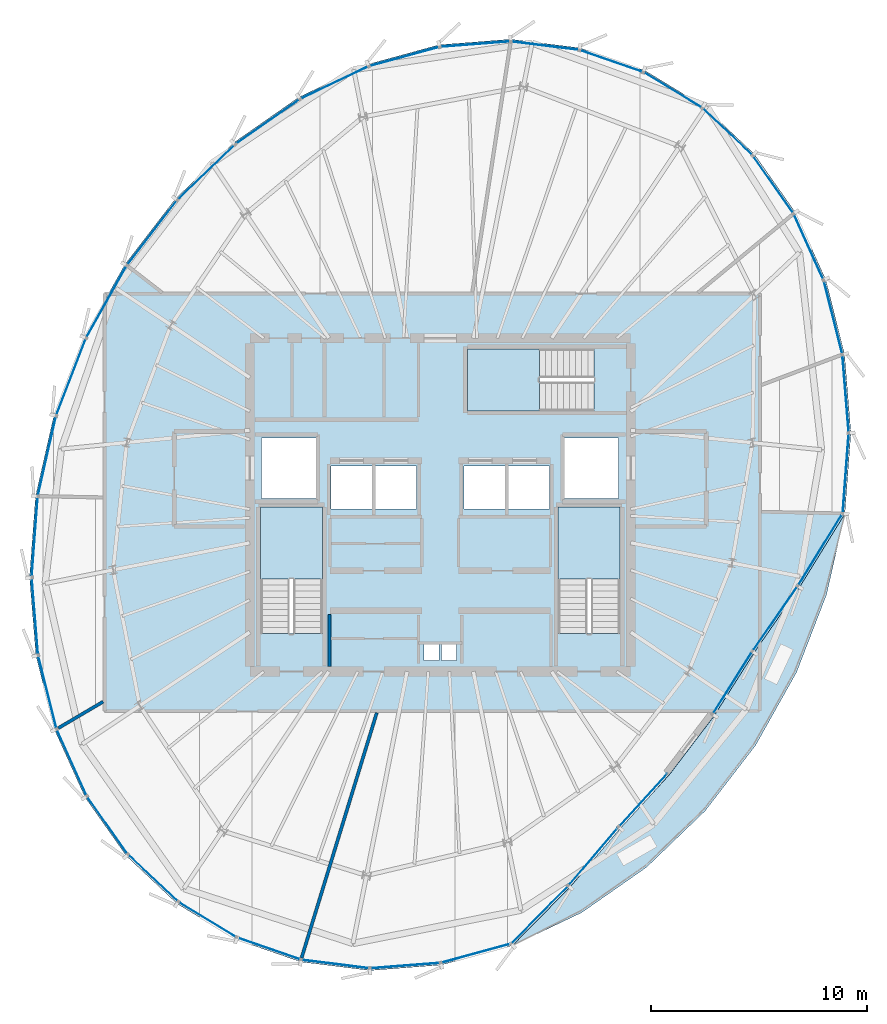
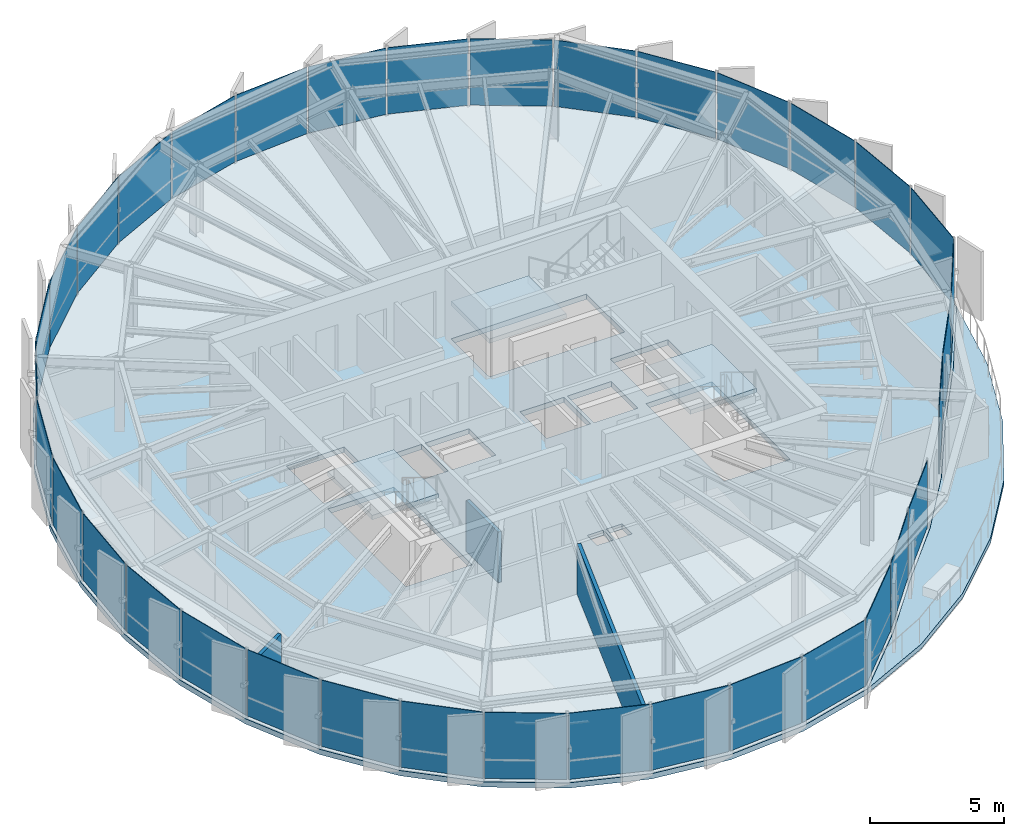
# One storey, part 23 of 30: 35 plates, 5 slabs, 3 walls, 10 elements without a shape of their own.
"""IFC4 building model written with IfcOpenShell, lengths in metres."""

from ifc_helpers import new_model, si_unit, direction, frame, frame_2d, origin, origin_2d, place, context, subcontext, project, spatial, polyline, rectangle, outline, extrude, source, transform, mapped, material, layer, layer_set, type_object, element, aggregate, save


model = new_model("IFC4")

# Units and contexts
model_context = context("Model", 3, precision=1e-05, world=origin(), true_north=direction((0.0, 1.0)))
body_context = subcontext(model_context, "Body", "Model", "MODEL_VIEW")
ifc_project = project(units=[si_unit("LENGTHUNIT", "METRE"), si_unit("AREAUNIT", "SQUARE_METRE"), si_unit("VOLUMEUNIT", "CUBIC_METRE"), si_unit("PLANEANGLEUNIT", "RADIAN"), si_unit("MASSUNIT", "GRAM", prefix="KILO"), si_unit("THERMODYNAMICTEMPERATUREUNIT", "KELVIN")], contexts=[model_context])

# Site, building, storey
site_placement = place(None, origin())
site = spatial("IfcSite", under=ifc_project, at=site_placement, CompositionType="ELEMENT")
building_placement = place(site_placement, origin())
building = spatial("IfcBuilding", under=site, at=building_placement, Name="Kethvar Cultural Tower", CompositionType="ELEMENT")
storey_placement = place(building_placement, frame((0.0, 0.0, 293.949951171875)))
storey = spatial("IfcBuildingStorey", under=building, at=storey_placement, Name="L78", CompositionType="ELEMENT", Elevation=293.949951171875)

# Stair, slab
ifc_material_1 = material(Name="Concrete C40/50", Category="concrete")
stair_type = type_object("IfcStairType", Name="ST-DOGLEG-135", PredefinedType="HALF_TURN_STAIR", material=ifc_material_1)
stair_1_placement = place(storey_placement, origin())
stair_1 = element("IfcStair", 1, at=stair_1_placement, inside=storey, type_object=stair_type, Name="L78 Core Exit Stair 1", PredefinedType="HALF_TURN_STAIR")
ifc_layer_1 = layer(ifc_material_1, 0.199951171875, Name="Concrete C40/50", Category="concrete")
ifc_layer_set_1 = layer_set([ifc_layer_1], Name="Concrete C40/50 (200 mm)")
slab_type_1 = type_object("IfcSlabType", Name="SL-STAIR-LANDING-200", PredefinedType="LANDING", material=ifc_layer_set_1)
slab_1_placement = place(storey_placement, frame((0.0, 0.0, 1.525146484375)))
slab_1 = element("IfcSlab", 2, at=slab_1_placement, type_object=slab_type_1, Name="ST-01 landing 1", PredefinedType="LANDING", context=body_context, shape_type="SweptSolid", body=[
    extrude(outline(polyline([(41.35009765625, 24.3701171875), (41.35009765625, 27.699951171875), (38.489990234375, 27.699951171875), (38.489990234375, 24.3701171875), (41.35009765625, 24.3701171875)])), origin(), (0.0, 0.0, 1.0), 0.199951171875),
])
aggregate(stair_1, [slab_1])

stair_2_placement = place(storey_placement, origin())
stair_2 = element("IfcStair", 3, at=stair_2_placement, inside=storey, type_object=stair_type, Name="L78 Core Exit Stair 2", PredefinedType="HALF_TURN_STAIR")
slab_2_placement = place(storey_placement, frame((0.0, 0.0, 1.525146484375)))
slab_2 = element("IfcSlab", 4, at=slab_2_placement, type_object=slab_type_1, Name="ST-02 landing 1", PredefinedType="LANDING", context=body_context, shape_type="SweptSolid", body=[
    extrude(outline(polyline([(55.110107421875, 24.3701171875), (55.110107421875, 27.699951171875), (52.25, 27.699951171875), (52.25, 24.3701171875), (55.110107421875, 24.3701171875)])), origin(), (0.0, 0.0, 1.0), 0.199951171875),
])
aggregate(stair_2, [slab_2])

stair_3_placement = place(storey_placement, origin())
stair_3 = element("IfcStair", 5, at=stair_3_placement, inside=storey, type_object=stair_type, Name="L78 Core Exit Stair 3", PredefinedType="HALF_TURN_STAIR")
slab_3_placement = place(storey_placement, frame((0.0, 0.0, 1.525146484375)))
slab_3 = element("IfcSlab", 6, at=slab_3_placement, type_object=slab_type_1, Name="ST-03 landing 1", PredefinedType="LANDING", context=body_context, shape_type="SweptSolid", body=[
    extrude(outline(polyline([(51.3798828125, 35.010009765625), (48.050048828125, 35.010009765625), (48.050048828125, 32.14990234375), (51.3798828125, 32.14990234375), (51.3798828125, 35.010009765625)])), origin(), (0.0, 0.0, 1.0), 0.199951171875),
])
aggregate(stair_3, [slab_3])

# Slabs
ifc_layer_2 = layer(ifc_material_1, 0.215087890625, Name="Concrete C40/50", Category="concrete")
ifc_layer_set_2 = layer_set([ifc_layer_2], Name="Concrete C40/50 (215 mm)")
slab_type_2 = type_object("IfcSlabType", Name="SL-TER-EXT", PredefinedType="FLOOR", material=ifc_layer_set_2)
slab_4_placement = place(storey_placement, frame((0.0, 0.0, -0.21484375)))
element("IfcSlab", 7, at=slab_4_placement, inside=storey, type_object=slab_type_2, Name="L78 Spiralling Sky Terrace Deck", PredefinedType="FLOOR", context=body_context, shape_type="SweptSolid", body=[
    extrude(outline(polyline([(50.143310546875, 7.435302734375), (53.33740234375, 8.955810546875), (56.332763671875, 11.049072265625), (59.038818359375, 13.65087890625), (61.37255859375, 16.68310546875), (63.263916015625, 20.052734375), (64.65478515625, 23.657958984375), (65.503173828125, 27.388916015625), (63.407470703125, 23.99658203125), (61.3076171875, 20.973388671875), (59.452392578125, 18.03759765625), (57.3828125, 15.318603515625), (55.098876953125, 12.82421875), (52.795166015625, 10.129150390625), (50.143310546875, 7.435302734375)])), origin(), (0.0, 0.0, 1.0), 0.21484375),
])
ifc_layer_3 = layer(ifc_material_1, 0.239990234375, Name="Concrete C40/50", Category="concrete")
ifc_layer_set_3 = layer_set([ifc_layer_3], Name="Concrete C40/50 (240 mm)")
slab_type_3 = type_object("IfcSlabType", Name="SL-TOW-240", PredefinedType="FLOOR", material=ifc_layer_set_3)
slab_5_placement = place(storey_placement, frame((0.0, 0.0, -0.239990234375)))
element("IfcSlab", 8, at=slab_5_placement, inside=storey, type_object=slab_type_3, Name="L78 Structural Floor Slab", PredefinedType="FLOOR", context=body_context, shape_type="SweptSolid", body=[
    extrude(outline(polyline([(56.25048828125, 47.88330078125), (53.248046875, 48.923583984375), (50.049560546875, 49.322021484375), (46.75244140625, 49.06640625), (43.456787109375, 48.16455078125), (40.2626953125, 46.64404296875), (37.26708984375, 44.551025390625), (34.561279296875, 41.948974609375), (32.227294921875, 38.9169921875), (30.336181640625, 35.54736328125), (28.9453125, 31.942138671875), (28.0966796875, 28.211181640625), (27.816650390625, 24.4677734375), (28.11328125, 20.825439453125), (28.977783203125, 17.39501953125), (30.3837890625, 14.281005859375), (32.28857421875, 11.57763671875), (34.63427734375, 9.3671875), (37.349609375, 7.716796875), (40.35205078125, 6.676513671875), (43.55029296875, 6.278076171875), (46.847412109375, 6.53369140625), (50.143310546875, 7.435302734375), (52.795166015625, 10.129150390625), (55.098876953125, 12.82421875), (57.3828125, 15.318603515625), (59.452392578125, 18.03759765625), (61.3076171875, 20.973388671875), (63.407470703125, 23.99658203125), (65.503173828125, 27.388916015625), (65.783203125, 31.13232421875), (65.48681640625, 34.774658203125), (64.622314453125, 38.204833984375), (63.21630859375, 41.319091796875), (61.3115234375, 44.0224609375), (58.9658203125, 46.23291015625), (56.25048828125, 47.88330078125)]), holes=[polyline([(38.489990234375, 21.85009765625), (38.489990234375, 27.699951171875), (41.35009765625, 27.699951171875), (41.35009765625, 21.85009765625), (38.489990234375, 21.85009765625)]), polyline([(52.25, 21.85009765625), (52.25, 27.699951171875), (55.110107421875, 27.699951171875), (55.110107421875, 21.85009765625), (52.25, 21.85009765625)]), polyline([(53.89990234375, 32.14990234375), (48.050048828125, 32.14990234375), (48.050048828125, 35.010009765625), (53.89990234375, 35.010009765625), (53.89990234375, 32.14990234375)]), polyline([(41.75, 29.60009765625), (43.64990234375, 29.60009765625), (43.64990234375, 27.60009765625), (41.75, 27.60009765625), (41.75, 29.60009765625)]), polyline([(43.800048828125, 29.60009765625), (45.699951171875, 29.60009765625), (45.699951171875, 27.60009765625), (43.800048828125, 27.60009765625), (43.800048828125, 29.60009765625)]), polyline([(47.89990234375, 29.60009765625), (49.800048828125, 29.60009765625), (49.800048828125, 27.60009765625), (47.89990234375, 27.60009765625), (47.89990234375, 29.60009765625)]), polyline([(49.949951171875, 29.60009765625), (51.85009765625, 29.60009765625), (51.85009765625, 27.60009765625), (49.949951171875, 27.60009765625), (49.949951171875, 29.60009765625)]), polyline([(38.550048828125, 30.89990234375), (41.050048828125, 30.89990234375), (41.050048828125, 28.10009765625), (38.550048828125, 28.10009765625), (38.550048828125, 30.89990234375)]), polyline([(52.550048828125, 30.89990234375), (55.050048828125, 30.89990234375), (55.050048828125, 28.10009765625), (52.550048828125, 28.10009765625), (52.550048828125, 30.89990234375)]), polyline([(46.050048828125, 21.35009765625), (46.75, 21.35009765625), (46.75, 20.60009765625), (46.050048828125, 20.60009765625), (46.050048828125, 21.35009765625)]), polyline([(46.85009765625, 21.35009765625), (47.550048828125, 21.35009765625), (47.550048828125, 20.60009765625), (46.85009765625, 20.60009765625), (46.85009765625, 21.35009765625)])]), origin(), (0.0, 0.0, 1.0), 0.239990234375),
])

# Curtain wall, plate
ifc_material_2 = material(Name="Aluminium 6063-T6", Category="aluminium")
ifc_layer_4 = layer(ifc_material_2, 0.179931640625, Name="Aluminium 6063-T6", Category="aluminium")
ifc_layer_set_4 = layer_set([ifc_layer_4], Name="Aluminium 6063-T6 (180 mm)")
curtain_wall_type = type_object("IfcCurtainWallType", Name="CW-SYS-05-Z56", PredefinedType="NOTDEFINED", material=ifc_layer_set_4)
curtain_wall_1_placement = place(storey_placement, origin())
curtain_wall_1 = element("IfcCurtainWall", 9, at=curtain_wall_1_placement, inside=storey, type_object=curtain_wall_type, Name="L78 Curtain Wall Run 05", PredefinedType="NOTDEFINED")
ifc_material_3 = material(Name="Insulated Low-E Solar Glass", Category="glass")
ifc_layer_5 = layer(ifc_material_3, 0.028076171875, Name="Insulated Low-E Solar Glass", Category="glass")
ifc_layer_set_5 = layer_set([ifc_layer_5], Name="Insulated Low-E Solar Glass (28 mm)")
plate_type = type_object("IfcPlateType", Name="CW-SYS-05-Z56-PNL", PredefinedType="CURTAIN_PANEL", material=ifc_layer_set_5)
shared_shape_1 = source(origin(), body_context, "Body", "SweptSolid", [
    extrude(rectangle(XDim=3.302734375, YDim=0.028076171875, at=origin_2d()), origin(), (0.0, 0.0, 1.0), 3.030029296875),
])
plate_1_placement = place(storey_placement, frame((56.1669921875, 14.138916015625, 0.08984375), z_axis=(0.0, 0.0, 1.0), x_axis=(0.675332808121, 0.737513117358, 0.0)))
plate_1 = element("IfcPlate", 10, at=plate_1_placement, type_object=plate_type, Name="CW-L78-R05 Vision Glazing Panel 1", PredefinedType="CURTAIN_PANEL", context=body_context, shape_type="MappedRepresentation", body=[
    mapped(shared_shape_1, transform((0.0, 0.0, 0.0), scale=1.0)),
])
aggregate(curtain_wall_1, [plate_1])

curtain_wall_2_placement = place(storey_placement, origin())
curtain_wall_2 = element("IfcCurtainWall", 11, at=curtain_wall_2_placement, inside=storey, type_object=curtain_wall_type, Name="L78 Curtain Wall Run 01", PredefinedType="NOTDEFINED")
shared_shape_2 = source(origin(), body_context, "Body", "SweptSolid", [
    extrude(rectangle(XDim=3.098388671875, YDim=0.028076171875, at=origin_2d()), origin(), (0.0, 0.0, 1.0), 3.030029296875),
])
plate_2_placement = place(storey_placement, frame((54.716552734375, 48.308837890625, 0.08984375), z_axis=(0.0, 0.0, 1.0), x_axis=(-0.944903214709, 0.327349835547, 0.0)))
plate_2 = element("IfcPlate", 12, at=plate_2_placement, type_object=plate_type, Name="CW-L78-R01 Vision Glazing Panel 1", PredefinedType="CURTAIN_PANEL", context=body_context, shape_type="MappedRepresentation", body=[
    mapped(shared_shape_2, transform((0.0, 0.0, 0.0), scale=1.0)),
])

curtain_wall_3_placement = place(storey_placement, origin())
curtain_wall_3 = element("IfcCurtainWall", 13, at=curtain_wall_3_placement, inside=storey, type_object=curtain_wall_type, Name="L78 Curtain Wall Run 03", PredefinedType="NOTDEFINED")
plate_3_placement = place(storey_placement, frame((36.043701171875, 8.627197265625, 0.08984375), z_axis=(0.0, 0.0, 1.0), x_axis=(0.854531360356, -0.519399801856, 0.0)))
plate_3 = element("IfcPlate", 14, at=plate_3_placement, type_object=plate_type, Name="CW-L78-R03 Vision Glazing Panel 6", PredefinedType="CURTAIN_PANEL", context=body_context, shape_type="MappedRepresentation", body=[
    mapped(shared_shape_2, transform((0.0, 0.0, 0.0), scale=1.0)),
])

curtain_wall_4_placement = place(storey_placement, origin())
curtain_wall_4 = element("IfcCurtainWall", 15, at=curtain_wall_4_placement, inside=storey, type_object=curtain_wall_type, Name="L78 Curtain Wall Run 04", PredefinedType="NOTDEFINED")
plate_4_placement = place(storey_placement, frame((38.883544921875, 7.291015625, 0.08984375), z_axis=(0.0, 0.0, 1.0), x_axis=(0.944903214709, -0.327349835547, 0.0)))
plate_4 = element("IfcPlate", 16, at=plate_4_placement, type_object=plate_type, Name="CW-L78-R04 Vision Glazing Panel 1", PredefinedType="CURTAIN_PANEL", context=body_context, shape_type="MappedRepresentation", body=[
    mapped(shared_shape_2, transform((0.0, 0.0, 0.0), scale=1.0)),
])

curtain_wall_5_placement = place(storey_placement, origin())
curtain_wall_5 = element("IfcCurtainWall", 17, at=curtain_wall_5_placement, inside=storey, type_object=curtain_wall_type, Name="L78 Curtain Wall Run 07", PredefinedType="NOTDEFINED")
plate_5_placement = place(storey_placement, frame((57.55615234375, 46.97265625, 0.08984375), z_axis=(0.0, 0.0, 1.0), x_axis=(-0.854531360356, 0.519399801856, 0.0)))
plate_5 = element("IfcPlate", 18, at=plate_5_placement, type_object=plate_type, Name="CW-L78-R07 Vision Glazing Panel 4", PredefinedType="CURTAIN_PANEL", context=body_context, shape_type="MappedRepresentation", body=[
    mapped(shared_shape_2, transform((0.0, 0.0, 0.0), scale=1.0)),
])

# Plate
shared_shape_3 = source(origin(), body_context, "Body", "SweptSolid", [
    extrude(rectangle(XDim=3.143798828125, YDim=0.028076171875, at=origin_2d()), origin(), (0.0, 0.0, 1.0), 3.030029296875),
])
plate_6_placement = place(storey_placement, frame((51.636474609375, 49.0234375, 0.08984375), z_axis=(0.0, 0.0, 1.0), x_axis=(-0.992331937885, 0.12360147674, 0.0)))
plate_6 = element("IfcPlate", 19, at=plate_6_placement, type_object=plate_type, Name="CW-L78-R01 Vision Glazing Panel 2", PredefinedType="CURTAIN_PANEL", context=body_context, shape_type="MappedRepresentation", body=[
    mapped(shared_shape_3, transform((0.0, 0.0, 0.0), scale=1.0)),
])

plate_7_placement = place(storey_placement, frame((41.963623046875, 6.576416015625, 0.08984375), z_axis=(0.0, 0.0, 1.0), x_axis=(0.992331937885, -0.12360147674, 0.0)))
plate_7 = element("IfcPlate", 20, at=plate_7_placement, type_object=plate_type, Name="CW-L78-R04 Vision Glazing Panel 2", PredefinedType="CURTAIN_PANEL", context=body_context, shape_type="MappedRepresentation", body=[
    mapped(shared_shape_3, transform((0.0, 0.0, 0.0), scale=1.0)),
])

shared_shape_4 = source(origin(), body_context, "Body", "SweptSolid", [
    extrude(rectangle(XDim=3.227783203125, YDim=0.028076171875, at=origin_2d()), origin(), (0.0, 0.0, 1.0), 3.030029296875),
])
plate_8_placement = place(storey_placement, frame((48.40869140625, 49.094482421875, 0.08984375), z_axis=(0.0, 0.0, 1.0), x_axis=(-0.997008399866, -0.07729327653, 0.0)))
plate_8 = element("IfcPlate", 21, at=plate_8_placement, type_object=plate_type, Name="CW-L78-R01 Vision Glazing Panel 3", PredefinedType="CURTAIN_PANEL", context=body_context, shape_type="MappedRepresentation", body=[
    mapped(shared_shape_4, transform((0.0, 0.0, 0.0), scale=1.0)),
])

plate_9_placement = place(storey_placement, frame((31.41796875, 12.98681640625, 0.08984375), z_axis=(0.0, 0.0, 1.0), x_axis=(0.575975846485, -0.817466711412, 0.0)))
plate_9 = element("IfcPlate", 22, at=plate_9_placement, type_object=plate_type, Name="CW-L78-R03 Vision Glazing Panel 4", PredefinedType="CURTAIN_PANEL", context=body_context, shape_type="MappedRepresentation", body=[
    mapped(shared_shape_4, transform((0.0, 0.0, 0.0), scale=1.0)),
])

plate_10_placement = place(storey_placement, frame((45.191162109375, 6.505615234375, 0.08984375), z_axis=(0.0, 0.0, 1.0), x_axis=(0.997008399866, 0.07729327653, 0.0)))
plate_10 = element("IfcPlate", 23, at=plate_10_placement, type_object=plate_type, Name="CW-L78-R04 Vision Glazing Panel 3", PredefinedType="CURTAIN_PANEL", context=body_context, shape_type="MappedRepresentation", body=[
    mapped(shared_shape_4, transform((0.0, 0.0, 0.0), scale=1.0)),
])

plate_11_placement = place(storey_placement, frame((62.18212890625, 42.613037109375, 0.08984375), z_axis=(0.0, 0.0, 1.0), x_axis=(-0.575975846485, 0.817466711412, 0.0)))
plate_11 = element("IfcPlate", 24, at=plate_11_placement, type_object=plate_type, Name="CW-L78-R07 Vision Glazing Panel 2", PredefinedType="CURTAIN_PANEL", context=body_context, shape_type="MappedRepresentation", body=[
    mapped(shared_shape_4, transform((0.0, 0.0, 0.0), scale=1.0)),
])

shared_shape_5 = source(origin(), body_context, "Body", "SweptSolid", [
    extrude(rectangle(XDim=3.337646484375, YDim=0.028076171875, at=origin_2d()), origin(), (0.0, 0.0, 1.0), 3.030029296875),
])
plate_12_placement = place(storey_placement, frame((45.131103515625, 48.51904296875, 0.08984375), z_axis=(0.0, 0.0, 1.0), x_axis=(-0.964548206963, -0.26390671921, 0.0)))
plate_12 = element("IfcPlate", 25, at=plate_12_placement, type_object=plate_type, Name="CW-L78-R01 Vision Glazing Panel 4", PredefinedType="CURTAIN_PANEL", context=body_context, shape_type="MappedRepresentation", body=[
    mapped(shared_shape_5, transform((0.0, 0.0, 0.0), scale=1.0)),
])

plate_13_placement = place(storey_placement, frame((29.77197265625, 15.879150390625, 0.08984375), z_axis=(0.0, 0.0, 1.0), x_axis=(0.411466637077, -0.911424822228, 0.0)))
plate_13 = element("IfcPlate", 26, at=plate_13_placement, type_object=plate_type, Name="CW-L78-R03 Vision Glazing Panel 3", PredefinedType="CURTAIN_PANEL", context=body_context, shape_type="MappedRepresentation", body=[
    mapped(shared_shape_5, transform((0.0, 0.0, 0.0), scale=1.0)),
])

plate_14_placement = place(storey_placement, frame((48.468994140625, 7.0810546875, 0.08984375), z_axis=(0.0, 0.0, 1.0), x_axis=(0.964548206963, 0.26390671921, 0.0)))
plate_14 = element("IfcPlate", 27, at=plate_14_placement, type_object=plate_type, Name="CW-L78-R04 Vision Glazing Panel 4", PredefinedType="CURTAIN_PANEL", context=body_context, shape_type="MappedRepresentation", body=[
    mapped(shared_shape_5, transform((0.0, 0.0, 0.0), scale=1.0)),
])

plate_15_placement = place(storey_placement, frame((63.828125, 39.720703125, 0.08984375), z_axis=(0.0, 0.0, 1.0), x_axis=(-0.411466637077, 0.911424822228, 0.0)))
plate_15 = element("IfcPlate", 28, at=plate_15_placement, type_object=plate_type, Name="CW-L78-R07 Vision Glazing Panel 1", PredefinedType="CURTAIN_PANEL", context=body_context, shape_type="MappedRepresentation", body=[
    mapped(shared_shape_5, transform((0.0, 0.0, 0.0), scale=1.0)),
])

shared_shape_6 = source(origin(), body_context, "Body", "SweptSolid", [
    extrude(rectangle(XDim=3.45849609375, YDim=0.028076171875, at=origin_2d()), origin(), (0.0, 0.0, 1.0), 3.030029296875),
])
plate_16_placement = place(storey_placement, frame((41.902587890625, 47.31396484375, 0.08984375), z_axis=(0.0, 0.0, 1.0), x_axis=(-0.902915626961, -0.429817834192, 0.0)))
plate_16 = element("IfcPlate", 29, at=plate_16_placement, type_object=plate_type, Name="CW-L78-R01 Vision Glazing Panel 5", PredefinedType="CURTAIN_PANEL", context=body_context, shape_type="MappedRepresentation", body=[
    mapped(shared_shape_6, transform((0.0, 0.0, 0.0), scale=1.0)),
])

plate_17_placement = place(storey_placement, frame((28.642578125, 19.134765625, 0.08984375), z_axis=(0.0, 0.0, 1.0), x_axis=(0.24437667227, -0.969680381389, 0.0)))
plate_17 = element("IfcPlate", 30, at=plate_17_placement, type_object=plate_type, Name="CW-L78-R03 Vision Glazing Panel 2", PredefinedType="CURTAIN_PANEL", context=body_context, shape_type="MappedRepresentation", body=[
    mapped(shared_shape_6, transform((0.0, 0.0, 0.0), scale=1.0)),
])

# Curtain wall, plate
curtain_wall_6_placement = place(storey_placement, origin())
curtain_wall_6 = element("IfcCurtainWall", 31, at=curtain_wall_6_placement, inside=storey, type_object=curtain_wall_type, Name="L78 Curtain Wall Run 06", PredefinedType="NOTDEFINED")
plate_18_placement = place(storey_placement, frame((64.95751953125, 36.46533203125, 0.08984375), z_axis=(0.0, 0.0, 1.0), x_axis=(-0.24437667227, 0.969680381389, 0.0)))
plate_18 = element("IfcPlate", 32, at=plate_18_placement, type_object=plate_type, Name="CW-L78-R06 Vision Glazing Panel 6", PredefinedType="CURTAIN_PANEL", context=body_context, shape_type="MappedRepresentation", body=[
    mapped(shared_shape_6, transform((0.0, 0.0, 0.0), scale=1.0)),
])

# Plate
shared_shape_7 = source(origin(), body_context, "Body", "SweptSolid", [
    extrude(rectangle(XDim=3.5751953125, YDim=0.028076171875, at=origin_2d()), origin(), (0.0, 0.0, 1.0), 3.030029296875),
])
plate_19_placement = place(storey_placement, frame((38.822265625, 45.515625, 0.08984375), z_axis=(0.0, 0.0, 1.0), x_axis=(-0.81971225759, -0.572775536102, 0.0)))
plate_19 = element("IfcPlate", 33, at=plate_19_placement, type_object=plate_type, Name="CW-L78-R01 Vision Glazing Panel 6", PredefinedType="CURTAIN_PANEL", context=body_context, shape_type="MappedRepresentation", body=[
    mapped(shared_shape_7, transform((0.0, 0.0, 0.0), scale=1.0)),
])

aggregate(curtain_wall_2, [plate_2, plate_6, plate_8, plate_12, plate_16, plate_19])

plate_20_placement = place(storey_placement, frame((28.064697265625, 22.65478515625, 0.08984375), z_axis=(0.0, 0.0, 1.0), x_axis=(0.081155726265, -0.996701433778, 0.0)))
plate_20 = element("IfcPlate", 34, at=plate_20_placement, type_object=plate_type, Name="CW-L78-R03 Vision Glazing Panel 1", PredefinedType="CURTAIN_PANEL", context=body_context, shape_type="MappedRepresentation", body=[
    mapped(shared_shape_7, transform((0.0, 0.0, 0.0), scale=1.0)),
])

plate_21_placement = place(storey_placement, frame((65.535400390625, 32.9453125, 0.08984375), z_axis=(0.0, 0.0, 1.0), x_axis=(-0.081155726265, 0.996701433778, 0.0)))
plate_21 = element("IfcPlate", 35, at=plate_21_placement, type_object=plate_type, Name="CW-L78-R06 Vision Glazing Panel 5", PredefinedType="CURTAIN_PANEL", context=body_context, shape_type="MappedRepresentation", body=[
    mapped(shared_shape_7, transform((0.0, 0.0, 0.0), scale=1.0)),
])

# Curtain wall, plates
curtain_wall_7_placement = place(storey_placement, origin())
curtain_wall_7 = element("IfcCurtainWall", 36, at=curtain_wall_7_placement, inside=storey, type_object=curtain_wall_type, Name="L78 Curtain Wall Run 02", PredefinedType="NOTDEFINED")
shared_shape_8 = source(origin(), body_context, "Body", "SweptSolid", [
    extrude(rectangle(XDim=3.6748046875, YDim=0.028076171875, at=origin_2d()), origin(), (0.0, 0.0, 1.0), 3.030029296875),
])
plate_22_placement = place(storey_placement, frame((35.983642578125, 43.177978515625, 0.08984375), z_axis=(0.0, 0.0, 1.0), x_axis=(-0.72080520832, -0.693137685931, 0.0)))
plate_22 = element("IfcPlate", 37, at=plate_22_placement, type_object=plate_type, Name="CW-L78-R02 Vision Glazing Panel 1", PredefinedType="CURTAIN_PANEL", context=body_context, shape_type="MappedRepresentation", body=[
    mapped(shared_shape_8, transform((0.0, 0.0, 0.0), scale=1.0)),
])
plate_23_placement = place(storey_placement, frame((28.056396484375, 26.331787109375, 0.08984375), z_axis=(0.0, 0.0, 1.0), x_axis=(-0.074613234358, -0.997212547684, 0.0)))
plate_23 = element("IfcPlate", 38, at=plate_23_placement, type_object=plate_type, Name="CW-L78-R02 Vision Glazing Panel 6", PredefinedType="CURTAIN_PANEL", context=body_context, shape_type="MappedRepresentation", body=[
    mapped(shared_shape_8, transform((0.0, 0.0, 0.0), scale=1.0)),
])

# Plate
plate_24_placement = place(storey_placement, frame((65.54345703125, 29.26806640625, 0.08984375), z_axis=(0.0, 0.0, 1.0), x_axis=(0.074613234358, 0.997212547684, 0.0)))
plate_24 = element("IfcPlate", 39, at=plate_24_placement, type_object=plate_type, Name="CW-L78-R06 Vision Glazing Panel 4", PredefinedType="CURTAIN_PANEL", context=body_context, shape_type="MappedRepresentation", body=[
    mapped(shared_shape_8, transform((0.0, 0.0, 0.0), scale=1.0)),
])

shared_shape_9 = source(origin(), body_context, "Body", "SweptSolid", [
    extrude(rectangle(XDim=3.7470703125, YDim=0.028076171875, at=origin_2d()), origin(), (0.0, 0.0, 1.0), 3.030029296875),
])
plate_25_placement = place(storey_placement, frame((33.4736328125, 40.3720703125, 0.08984375), z_axis=(0.0, 0.0, 1.0), x_axis=(-0.60996538338, -0.792428060507, 0.0)))
plate_25 = element("IfcPlate", 40, at=plate_25_placement, type_object=plate_type, Name="CW-L78-R02 Vision Glazing Panel 2", PredefinedType="CURTAIN_PANEL", context=body_context, shape_type="MappedRepresentation", body=[
    mapped(shared_shape_9, transform((0.0, 0.0, 0.0), scale=1.0)),
])

plate_26_placement = place(storey_placement, frame((28.618408203125, 30.054443359375, 0.08984375), z_axis=(0.0, 0.0, 1.0), x_axis=(-0.221735708772, -0.975106802076, 0.0)))
plate_26 = element("IfcPlate", 41, at=plate_26_placement, type_object=plate_type, Name="CW-L78-R02 Vision Glazing Panel 5", PredefinedType="CURTAIN_PANEL", context=body_context, shape_type="MappedRepresentation", body=[
    mapped(shared_shape_9, transform((0.0, 0.0, 0.0), scale=1.0)),
])

shared_shape_10 = source(origin(), body_context, "Body", "SweptSolid", [
    extrude(rectangle(XDim=3.784912109375, YDim=0.028076171875, at=origin_2d()), origin(), (0.0, 0.0, 1.0), 3.030029296875),
])
plate_27_placement = place(storey_placement, frame((31.368896484375, 37.18310546875, 0.08984375), z_axis=(0.0, 0.0, 1.0), x_axis=(-0.489428112518, -0.872043647231, 0.0)))
plate_27 = element("IfcPlate", 42, at=plate_27_placement, type_object=plate_type, Name="CW-L78-R02 Vision Glazing Panel 3", PredefinedType="CURTAIN_PANEL", context=body_context, shape_type="MappedRepresentation", body=[
    mapped(shared_shape_10, transform((0.0, 0.0, 0.0), scale=1.0)),
])

shared_shape_11 = source(origin(), body_context, "Body", "SweptSolid", [
    extrude(rectangle(XDim=3.78515625, YDim=0.028076171875, at=origin_2d()), origin(), (0.0, 0.0, 1.0), 3.030029296875),
])
plate_28_placement = place(storey_placement, frame((29.73388671875, 33.708740234375, 0.08984375), z_axis=(0.0, 0.0, 1.0), x_axis=(-0.359964241679, -0.932966100516, 0.0)))
plate_28 = element("IfcPlate", 43, at=plate_28_placement, type_object=plate_type, Name="CW-L78-R02 Vision Glazing Panel 4", PredefinedType="CURTAIN_PANEL", context=body_context, shape_type="MappedRepresentation", body=[
    mapped(shared_shape_11, transform((0.0, 0.0, 0.0), scale=1.0)),
])

aggregate(curtain_wall_7, [plate_22, plate_25, plate_27, plate_28, plate_26, plate_23])

shared_shape_12 = source(origin(), body_context, "Body", "SweptSolid", [
    extrude(rectangle(XDim=3.14404296875, YDim=0.028076171875, at=origin_2d()), origin(), (0.0, 0.0, 1.0), 3.030029296875),
])
plate_29_placement = place(storey_placement, frame((33.52978515625, 10.545166015625, 0.08984375), z_axis=(0.0, 0.0, 1.0), x_axis=(0.727772757657, -0.685818352927, 0.0)))
plate_29 = element("IfcPlate", 44, at=plate_29_placement, type_object=plate_type, Name="CW-L78-R03 Vision Glazing Panel 5", PredefinedType="CURTAIN_PANEL", context=body_context, shape_type="MappedRepresentation", body=[
    mapped(shared_shape_12, transform((0.0, 0.0, 0.0), scale=1.0)),
])

aggregate(curtain_wall_3, [plate_20, plate_17, plate_13, plate_9, plate_29, plate_3])

plate_30_placement = place(storey_placement, frame((60.070068359375, 45.054931640625, 0.08984375), z_axis=(0.0, 0.0, 1.0), x_axis=(-0.727772757657, 0.685818352927, 0.0)))
plate_30 = element("IfcPlate", 45, at=plate_30_placement, type_object=plate_type, Name="CW-L78-R07 Vision Glazing Panel 3", PredefinedType="CURTAIN_PANEL", context=body_context, shape_type="MappedRepresentation", body=[
    mapped(shared_shape_12, transform((0.0, 0.0, 0.0), scale=1.0)),
])

aggregate(curtain_wall_5, [plate_15, plate_11, plate_30, plate_5])

shared_shape_13 = source(origin(), body_context, "Body", "SweptSolid", [
    extrude(rectangle(XDim=3.700927734375, YDim=0.028076171875, at=origin_2d()), origin(), (0.0, 0.0, 1.0), 3.030029296875),
])
plate_31_placement = place(storey_placement, frame((51.39794921875, 8.852294921875, 0.08984375), z_axis=(0.0, 0.0, 1.0), x_axis=(0.701556301121, 0.712614030425, 0.0)))
plate_31 = element("IfcPlate", 46, at=plate_31_placement, type_object=plate_type, Name="CW-L78-R04 Vision Glazing Panel 5", PredefinedType="CURTAIN_PANEL", context=body_context, shape_type="MappedRepresentation", body=[
    mapped(shared_shape_13, transform((0.0, 0.0, 0.0), scale=1.0)),
])

shared_shape_14 = source(origin(), body_context, "Body", "SweptSolid", [
    extrude(rectangle(XDim=3.46630859375, YDim=0.028076171875, at=origin_2d()), origin(), (0.0, 0.0, 1.0), 3.030029296875),
])
plate_32_placement = place(storey_placement, frame((53.87109375, 11.541748046875, 0.08984375), z_axis=(0.0, 0.0, 1.0), x_axis=(0.649753242513, 0.760145199185, 0.0)))
plate_32 = element("IfcPlate", 47, at=plate_32_placement, type_object=plate_type, Name="CW-L78-R04 Vision Glazing Panel 6", PredefinedType="CURTAIN_PANEL", context=body_context, shape_type="MappedRepresentation", body=[
    mapped(shared_shape_14, transform((0.0, 0.0, 0.0), scale=1.0)),
])

aggregate(curtain_wall_4, [plate_4, plate_7, plate_10, plate_14, plate_31, plate_32])

shared_shape_15 = source(origin(), body_context, "Body", "SweptSolid", [
    extrude(rectangle(XDim=3.3935546875, YDim=0.028076171875, at=origin_2d()), origin(), (0.0, 0.0, 1.0), 3.030029296875),
])
plate_33_placement = place(storey_placement, frame((60.29541015625, 19.558837890625, 0.08984375), z_axis=(0.0, 0.0, 1.0), x_axis=(0.534234323365, 0.845336434645, 0.0)))
plate_33 = element("IfcPlate", 48, at=plate_33_placement, type_object=plate_type, Name="CW-L78-R06 Vision Glazing Panel 1", PredefinedType="CURTAIN_PANEL", context=body_context, shape_type="MappedRepresentation", body=[
    mapped(shared_shape_15, transform((0.0, 0.0, 0.0), scale=1.0)),
])

shared_shape_16 = source(origin(), body_context, "Body", "SweptSolid", [
    extrude(rectangle(XDim=3.601806640625, YDim=0.028076171875, at=origin_2d()), origin(), (0.0, 0.0, 1.0), 3.030029296875),
])
plate_34_placement = place(storey_placement, frame((62.275390625, 22.5419921875, 0.08984375), z_axis=(0.0, 0.0, 1.0), x_axis=(0.570455567893, 0.821328463564, 0.0)))
plate_34 = element("IfcPlate", 49, at=plate_34_placement, type_object=plate_type, Name="CW-L78-R06 Vision Glazing Panel 2", PredefinedType="CURTAIN_PANEL", context=body_context, shape_type="MappedRepresentation", body=[
    mapped(shared_shape_16, transform((0.0, 0.0, 0.0), scale=1.0)),
])

shared_shape_17 = source(origin(), body_context, "Body", "SweptSolid", [
    extrude(rectangle(XDim=3.908203125, YDim=0.028076171875, at=origin_2d()), origin(), (0.0, 0.0, 1.0), 3.030029296875),
])
plate_35_placement = place(storey_placement, frame((64.3701171875, 25.745361328125, 0.08984375), z_axis=(0.0, 0.0, 1.0), x_axis=(0.525605289686, 0.850728558034, 0.0)))
plate_35 = element("IfcPlate", 50, at=plate_35_placement, type_object=plate_type, Name="CW-L78-R06 Vision Glazing Panel 3", PredefinedType="CURTAIN_PANEL", context=body_context, shape_type="MappedRepresentation", body=[
    mapped(shared_shape_17, transform((0.0, 0.0, 0.0), scale=1.0)),
])

aggregate(curtain_wall_6, [plate_33, plate_34, plate_35, plate_24, plate_21, plate_18])

# Walls
ifc_material_4 = material(Name="Gypsum Fireboard Partition")
ifc_layer_6 = layer(ifc_material_4, 0.14990234375, Name="Gypsum Fireboard Partition")
ifc_layer_set_6 = layer_set([ifc_layer_6], Name="Gypsum Fireboard Partition (150 mm)")
wall_type_1 = type_object("IfcWallType", Name="WL-FIRE-150", PredefinedType="PARTITIONING", material=ifc_layer_set_6)
wall_1_placement = place(storey_placement, frame((41.679931640625, 20.3349609375, 0.0), z_axis=(0.0, 0.0, 1.0), x_axis=(0.0, 1.0, 0.0)))
element("IfcWall", 51, at=wall_1_placement, inside=storey, type_object=wall_type_1, Name="L78 Reclaimed West Outer Wall", PredefinedType="PARTITIONING", context=body_context, shape_type="SweptSolid", body=[
    extrude(rectangle(XDim=2.39501953125, YDim=0.14990234375, at=frame_2d((1.197509765625, 0.0))), origin(), (0.0, 0.0, 1.0), 2.31494140625),
])
ifc_material_5 = material(Name="Gypsum Acoustic Partition")
ifc_layer_7 = layer(ifc_material_5, 0.14990234375, Name="Gypsum Acoustic Partition")
ifc_layer_set_7 = layer_set([ifc_layer_7], Name="Gypsum Acoustic Partition (150 mm)")
wall_type_2 = type_object("IfcWallType", Name="WL-PART-150", PredefinedType="PARTITIONING", material=ifc_layer_set_7)
wall_2_placement = place(storey_placement, frame((31.22119140625, 18.704345703125, 0.0), z_axis=(0.0, 0.0, 1.0), x_axis=(-0.861571718846, -0.507635866823, 0.0)))
element("IfcWall", 52, at=wall_2_placement, inside=storey, type_object=wall_type_2, Name="L78 Radial Partition Wall 01", PredefinedType="PARTITIONING", context=body_context, shape_type="SweptSolid", body=[
    extrude(rectangle(XDim=2.407958984375, YDim=0.14990234375, at=frame_2d((1.2041015625, 0.0))), origin(), (0.0, 0.0, 1.0), 2.31494140625),
])
wall_3_placement = place(storey_placement, frame((43.8671875, 18.1923828125, 0.0), z_axis=(0.0, 0.0, 1.0), x_axis=(-0.293314223646, -0.956016090977, 0.0)))
element("IfcWall", 53, at=wall_3_placement, inside=storey, type_object=wall_type_2, Name="L78 Radial Partition Wall 02", PredefinedType="PARTITIONING", context=body_context, shape_type="SweptSolid", body=[
    extrude(rectangle(XDim=11.851806640625, YDim=0.14990234375, at=frame_2d((5.92578125, 0.0))), origin(), (0.0, 0.0, 1.0), 2.31494140625),
])

save(model, "model.ifc")
